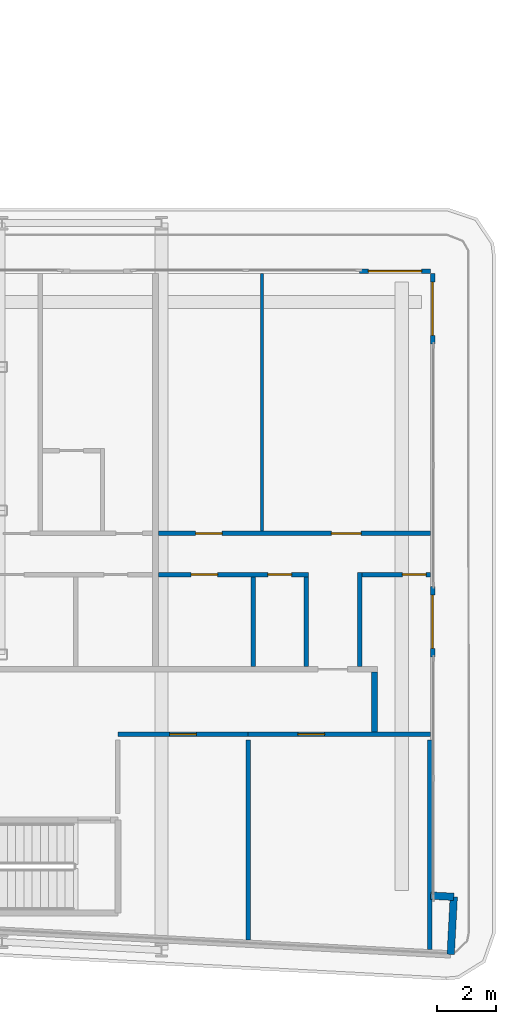
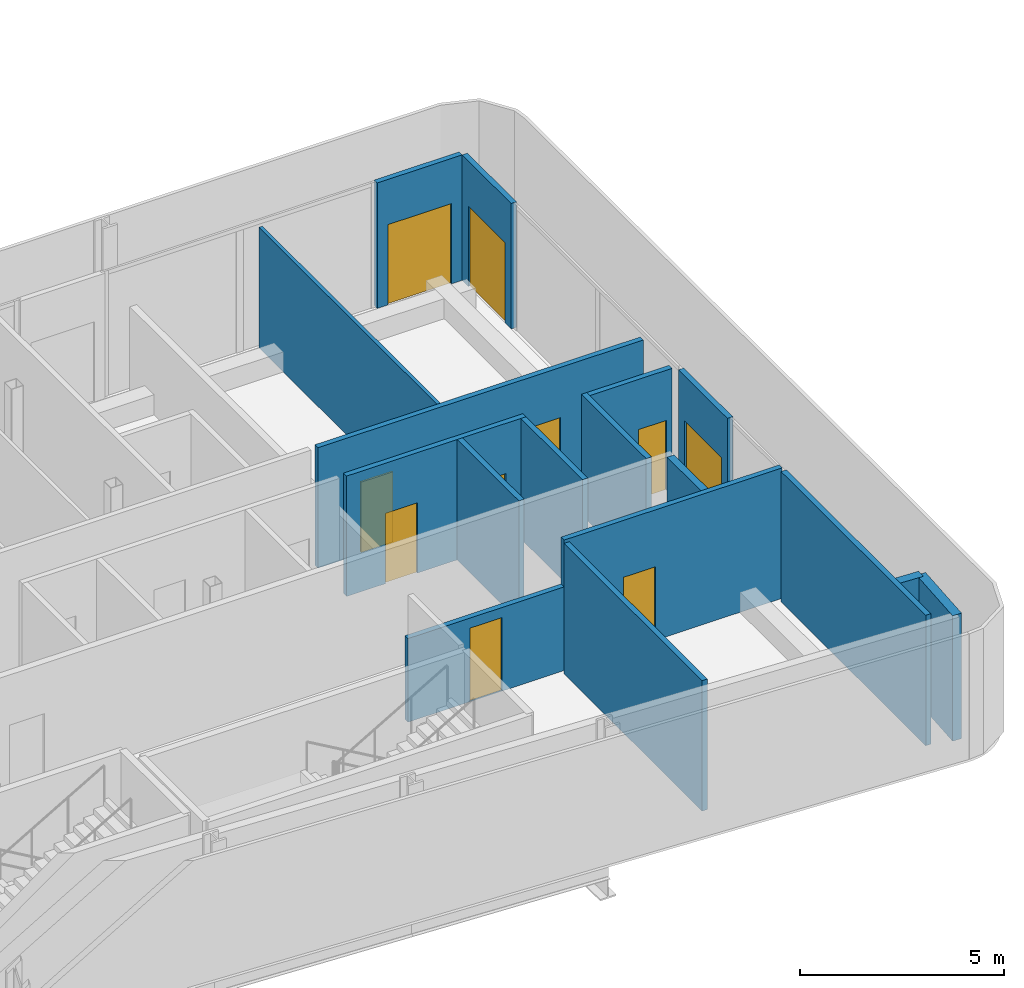
# One storey, part 17 of 25: 17 walls, 10 doors, 10 openings.
"""IFC4 building model written with IfcOpenShell, lengths in metres."""

from ifc_helpers import new_model, si_unit, direction, frame, frame_2d, origin, place, context, subcontext, project, spatial, rectangle, extrude, source, transform, mapped, material, layer, layer_set, type_object, element, fill, save


model = new_model("IFC4")

# Units and contexts
model_context = context("Model", 3, precision=1e-05, world=origin(), true_north=direction((0.0, 1.0)))
body_context = subcontext(model_context, "Body", "Model", "MODEL_VIEW")
ifc_project = project(units=[si_unit("LENGTHUNIT", "METRE"), si_unit("AREAUNIT", "SQUARE_METRE"), si_unit("VOLUMEUNIT", "CUBIC_METRE"), si_unit("PLANEANGLEUNIT", "RADIAN"), si_unit("MASSUNIT", "GRAM", prefix="KILO")], contexts=[model_context])

# Site, building, storey
site_placement = place(None, origin())
site = spatial("IfcSite", under=ifc_project, at=site_placement, CompositionType="ELEMENT")
building_placement = place(site_placement, origin())
building = spatial("IfcBuilding", under=site, at=building_placement, Name="Kheshtan School and Residences Tower", CompositionType="ELEMENT")
storey_placement = place(building_placement, frame((0.0, 0.0, 109.699951171875)))
storey = spatial("IfcBuildingStorey", under=building, at=storey_placement, Name="L25", CompositionType="ELEMENT", Elevation=109.699951171875)

# Walls
ifc_material_1 = material(Name="Gypsum board on steel studs with fire boards", Category="steel")
ifc_layer_1 = layer(ifc_material_1, 0.199951171875)
ifc_layer_set_1 = layer_set([ifc_layer_1], Name="Corridor wall 200")
wall_type_1 = type_object("IfcWallType", Name="Corridor wall 200", PredefinedType="PARTITIONING", material=ifc_layer_set_1)
wall_1_placement = place(storey_placement, frame((98.0, 28.3740234375, 0.0), z_axis=(0.0, 0.0, 1.0), x_axis=(0.0, 1.0, 0.0)))
element("IfcWall", 1, at=wall_1_placement, inside=storey, type_object=wall_type_1, Name="Partition L25-073", PredefinedType="PARTITIONING", context=body_context, shape_type="SweptSolid", body=[
    extrude(rectangle(XDim=2.02587890625, YDim=0.199951171875, at=frame_2d((1.012939453125, 0.0))), origin(), (0.0, 0.0, 1.0), 3.60009765625),
])
ifc_material_2 = material(Name="Concrete C40/50 with ceramic cladding and mineral wool insulation", Category="concrete")
ifc_layer_2 = layer(ifc_material_2, 0.25)
ifc_layer_set_2 = layer_set([ifc_layer_2], Name="External wall 250 ceramic clad")
wall_type_2 = type_object("IfcWallType", Name="External wall 250 ceramic clad", PredefinedType="SOLIDWALL", material=ifc_layer_set_2)
wall_2_placement = place(storey_placement, frame((99.906982421875, 22.839111328125, 0.0), z_axis=(0.0, 0.0, 1.0), x_axis=(0.998561284263, -0.053622398031, 0.0)))
element("IfcWall", 2, at=wall_2_placement, inside=storey, type_object=wall_type_2, Name="External wall L25 10", PredefinedType="SOLIDWALL", context=body_context, shape_type="SweptSolid", body=[
    extrude(rectangle(XDim=0.783203125, YDim=0.25, at=frame_2d((0.3916015625, 0.0))), origin(), (0.0, 0.0, 1.0), 3.75),
])
wall_3_placement = place(storey_placement, frame((100.68896484375, 22.797119140625, 0.0), z_axis=(0.0, 0.0, 1.0), x_axis=(-0.052841433274, -0.998602915542, 0.0)))
element("IfcWall", 3, at=wall_3_placement, inside=storey, type_object=wall_type_2, Name="External wall L25 11", PredefinedType="SOLIDWALL", context=body_context, shape_type="SweptSolid", body=[
    extrude(rectangle(XDim=1.94970703125, YDim=0.25, at=frame_2d((0.974853515625, 0.0))), origin(), (0.0, 0.0, 1.0), 3.75),
])

# Wall, opening, door
ifc_material_3 = material(Name="Aluminium frame wall with insulated infill", Category="aluminium")
ifc_layer_3 = layer(ifc_material_3, 0.14990234375)
ifc_layer_set_3 = layer_set([ifc_layer_3], Name="Glazing frame wall 150")
wall_type_3 = type_object("IfcWallType", Name="Glazing frame wall 150", PredefinedType="SOLIDWALL", material=ifc_layer_set_3)
wall_4_placement = place(storey_placement, frame((97.5, 43.97509765625, 0.0), z_axis=(0.0, 0.0, 1.0), x_axis=(1.0, 0.0, 0.0)))
wall_4 = element("IfcWall", 4, at=wall_4_placement, inside=storey, type_object=wall_type_3, Name="Balcony door wall L25 8.5", PredefinedType="SOLIDWALL", context=body_context, shape_type="SweptSolid", body=[
    extrude(rectangle(XDim=2.39990234375, YDim=0.14990234375, at=frame_2d((1.199951171875, 0.0))), origin(), (0.0, 0.0, 1.0), 3.75),
])
opening_1_placement = place(wall_4_placement, frame((0.300048828125, 0.0, 0.0)))
opening_1 = element("IfcOpeningElement", 5, at=opening_1_placement, cuts=wall_4, Name="Opening BD", PredefinedType="OPENING", context=body_context, shape_type="SweptSolid", body=[
    extrude(rectangle(XDim=1.800048828125, YDim=2.39990234375, at=frame_2d((0.89990234375, 1.199951171875))), frame((0.0, 0.0849609375, 0.0), z_axis=(0.0, -1.0, 0.0), x_axis=(1.0, 0.0, 0.0)), (0.0, 0.0, 1.0), 0.169921875),
])
ifc_material_4 = material(Name="Clear low-e glass in thermally broken aluminium frame", Category="aluminium")
door_type_1 = type_object("IfcDoorType", Name="Balcony sliding door", OperationType="SLIDING_TO_LEFT", PredefinedType="DOOR", material=ifc_material_4)
shared_shape_1 = source(origin(), body_context, "Body", "SweptSolid", [
    extrude(rectangle(XDim=1.800048828125, YDim=2.39990234375, at=frame_2d((0.89990234375, 1.199951171875))), frame((0.0, 0.02490234375, 0.0), z_axis=(0.0, -1.0, 0.0), x_axis=(1.0, 0.0, 0.0)), (0.0, 0.0, 1.0), 0.050048828125),
])
door_1_placement = place(opening_1_placement, origin())
door_1 = element("IfcDoor", 6, at=door_1_placement, inside=storey, type_object=door_type_1, Name="Balcony door L25 8.5", OperationType="SLIDING_TO_LEFT", OverallHeight=2.39990234375, OverallWidth=1.800048828125, PredefinedType="DOOR", context=body_context, shape_type="MappedRepresentation", body=[
    mapped(shared_shape_1, transform((0.0, 0.0, 0.0), x_axis=(1.0, 0.0, 0.0), y_axis=(0.0, 1.0, 0.0), z_axis=(0.0, 0.0, 1.0), scale=1.0)),
])
fill(opening_1, door_1)

wall_5_placement = place(storey_placement, frame((99.97509765625, 43.89990234375, 0.0), z_axis=(0.0, 0.0, 1.0), x_axis=(0.0, -1.0, 0.0)))
wall_5 = element("IfcWall", 7, at=wall_5_placement, inside=storey, type_object=wall_type_3, Name="Balcony door wall L25 9.1", PredefinedType="SOLIDWALL", context=body_context, shape_type="SweptSolid", body=[
    extrude(rectangle(XDim=2.39990234375, YDim=0.14990234375, at=frame_2d((1.199951171875, 0.0))), origin(), (0.0, 0.0, 1.0), 3.75),
])
opening_2_placement = place(wall_5_placement, frame((0.300048828125, 0.0, 0.0)))
opening_2 = element("IfcOpeningElement", 8, at=opening_2_placement, cuts=wall_5, Name="Opening BD", PredefinedType="OPENING", context=body_context, shape_type="SweptSolid", body=[
    extrude(rectangle(XDim=1.800048828125, YDim=2.39990234375, at=frame_2d((0.89990234375, 1.199951171875))), frame((0.0, 0.0849609375, 0.0), z_axis=(0.0, -1.0, 0.0), x_axis=(1.0, 0.0, 0.0)), (0.0, 0.0, 1.0), 0.169921875),
])
door_2_placement = place(opening_2_placement, origin())
door_2 = element("IfcDoor", 9, at=door_2_placement, inside=storey, type_object=door_type_1, Name="Balcony door L25 9.1", OperationType="SLIDING_TO_LEFT", OverallHeight=2.39990234375, OverallWidth=1.800048828125, PredefinedType="DOOR", context=body_context, shape_type="MappedRepresentation", body=[
    mapped(shared_shape_1, transform((0.0, 0.0, 0.0), x_axis=(1.0, 0.0, 0.0), y_axis=(0.0, 1.0, 0.0), z_axis=(0.0, 0.0, 1.0), scale=1.0)),
])
fill(opening_2, door_2)

wall_6_placement = place(storey_placement, frame((99.97509765625, 33.306884765625, 0.0), z_axis=(0.0, 0.0, 1.0), x_axis=(0.0, -1.0, 0.0)))
wall_6 = element("IfcWall", 10, at=wall_6_placement, inside=storey, type_object=wall_type_3, Name="Balcony door wall L25 9.2", PredefinedType="SOLIDWALL", context=body_context, shape_type="SweptSolid", body=[
    extrude(rectangle(XDim=2.39990234375, YDim=0.14990234375, at=frame_2d((1.199951171875, 0.0))), origin(), (0.0, 0.0, 1.0), 3.75),
])
opening_3_placement = place(wall_6_placement, frame((0.300048828125, 0.0, 0.0)))
opening_3 = element("IfcOpeningElement", 11, at=opening_3_placement, cuts=wall_6, Name="Opening BD", PredefinedType="OPENING", context=body_context, shape_type="SweptSolid", body=[
    extrude(rectangle(XDim=1.800048828125, YDim=2.39990234375, at=frame_2d((0.89990234375, 1.199951171875))), frame((0.0, 0.0849609375, 0.0), z_axis=(0.0, -1.0, 0.0), x_axis=(1.0, 0.0, 0.0)), (0.0, 0.0, 1.0), 0.169921875),
])
door_3_placement = place(opening_3_placement, origin())
door_3 = element("IfcDoor", 12, at=door_3_placement, inside=storey, type_object=door_type_1, Name="Balcony door L25 9.2", OperationType="SLIDING_TO_LEFT", OverallHeight=2.39990234375, OverallWidth=1.800048828125, PredefinedType="DOOR", context=body_context, shape_type="MappedRepresentation", body=[
    mapped(shared_shape_1, transform((0.0, 0.0, 0.0), x_axis=(1.0, 0.0, 0.0), y_axis=(0.0, 1.0, 0.0), z_axis=(0.0, 0.0, 1.0), scale=1.0)),
])
fill(opening_3, door_3)

# Wall
ifc_material_5 = material(Name="Gypsum board on steel studs", Category="steel")
ifc_layer_4 = layer(ifc_material_5, 0.10009765625)
ifc_layer_set_4 = layer_set([ifc_layer_4], Name="Gypsum partition 100")
wall_type_4 = type_object("IfcWallType", Name="Gypsum partition 100", PredefinedType="PARTITIONING", material=ifc_layer_set_4)
wall_7_placement = place(storey_placement, frame((94.199951171875, 35.175048828125, 0.0), z_axis=(0.0, 0.0, 1.0), x_axis=(0.0, 1.0, 0.0)))
element("IfcWall", 13, at=wall_7_placement, inside=storey, type_object=wall_type_4, Name="Partition L25-069", PredefinedType="PARTITIONING", context=body_context, shape_type="SweptSolid", body=[
    extrude(rectangle(XDim=8.724853515625, YDim=0.10009765625, at=frame_2d((4.3623046875, 0.0))), origin(), (0.0, 0.0, 1.0), 3.60009765625),
])

# Wall, opening, door
ifc_material_6 = material(Name="Fire-board shaft wall system")
ifc_layer_5 = layer(ifc_material_6, 0.14990234375)
ifc_layer_set_5 = layer_set([ifc_layer_5], Name="Service room wall 150")
wall_type_5 = type_object("IfcWallType", Name="Service room wall 150", PredefinedType="PARTITIONING", material=ifc_layer_set_5)
wall_8_placement = place(storey_placement, frame((89.320068359375, 28.300048828125, 0.0), z_axis=(0.0, 0.0, 1.0), x_axis=(1.0, 0.0, 0.0)))
wall_8 = element("IfcWall", 14, at=wall_8_placement, inside=storey, type_object=wall_type_5, Name="Service room wall", PredefinedType="PARTITIONING", context=body_context, shape_type="SweptSolid", body=[
    extrude(rectangle(XDim=4.412841796875, YDim=0.14990234375, at=frame_2d((2.20654296875, 0.0))), origin(), (0.0, 0.0, 1.0), 2.5),
])
opening_4_placement = place(wall_8_placement, frame((1.756103515625, 0.0, 0.0)))
opening_4 = element("IfcOpeningElement", 15, at=opening_4_placement, cuts=wall_8, Name="Opening SR90", PredefinedType="OPENING", context=body_context, shape_type="SweptSolid", body=[
    extrude(rectangle(XDim=0.89990234375, YDim=2.199951171875, at=frame_2d((0.449951171875, 1.10009765625))), frame((0.0, 0.0849609375, 0.0), z_axis=(0.0, -1.0, 0.0), x_axis=(1.0, 0.0, 0.0)), (0.0, 0.0, 1.0), 0.169921875),
])
ifc_material_7 = material(Name="Steel door leaf, galvanised", Category="steel")
door_type_2 = type_object("IfcDoorType", Name="Service room door 900 steel 90 min", OperationType="SINGLE_SWING_LEFT", PredefinedType="DOOR", material=ifc_material_7)
shared_shape_2 = source(origin(), body_context, "Body", "SweptSolid", [
    extrude(rectangle(XDim=0.89990234375, YDim=2.199951171875, at=frame_2d((0.449951171875, 1.10009765625))), frame((0.0, 0.02490234375, 0.0), z_axis=(0.0, -1.0, 0.0), x_axis=(1.0, 0.0, 0.0)), (0.0, 0.0, 1.0), 0.050048828125),
])
door_4_placement = place(opening_4_placement, origin())
door_4 = element("IfcDoor", 16, at=door_4_placement, inside=storey, type_object=door_type_2, Name="Service room door", OperationType="SINGLE_SWING_LEFT", OverallHeight=2.199951171875, OverallWidth=0.89990234375, PredefinedType="DOOR", context=body_context, shape_type="MappedRepresentation", body=[
    mapped(shared_shape_2, transform((0.0, 0.0, 0.0), x_axis=(1.0, 0.0, 0.0), y_axis=(0.0, 1.0, 0.0), z_axis=(0.0, 0.0, 1.0), scale=1.0)),
])
fill(opening_4, door_4)

# Wall
wall_9_placement = place(storey_placement, frame((93.73291015625, 21.337890625, 0.0), z_axis=(0.0, 0.0, 1.0), x_axis=(0.0, 1.0, 0.0)))
element("IfcWall", 17, at=wall_9_placement, inside=storey, type_object=wall_type_5, Name="Service room wall", PredefinedType="PARTITIONING", context=body_context, shape_type="SweptSolid", body=[
    extrude(rectangle(XDim=6.76708984375, YDim=0.14990234375, at=frame_2d((3.383544921875, 0.0))), origin(), (0.0, 0.0, 1.0), 3.900146484375),
])

# Wall, opening, door
wall_10_placement = place(storey_placement, frame((93.73291015625, 28.300048828125, 0.0), z_axis=(0.0, 0.0, 1.0), x_axis=(1.0, 0.0, 0.0)))
wall_10 = element("IfcWall", 18, at=wall_10_placement, inside=storey, type_object=wall_type_5, Name="Service room wall", PredefinedType="PARTITIONING", context=body_context, shape_type="SweptSolid", body=[
    extrude(rectangle(XDim=6.1650390625, YDim=0.14990234375, at=frame_2d((3.08251953125, 0.0))), origin(), (0.0, 0.0, 1.0), 3.900146484375),
])
opening_5_placement = place(wall_10_placement, frame((1.68310546875, 0.0, 0.0)))
opening_5 = element("IfcOpeningElement", 19, at=opening_5_placement, cuts=wall_10, Name="Opening SR90", PredefinedType="OPENING", context=body_context, shape_type="SweptSolid", body=[
    extrude(rectangle(XDim=0.89990234375, YDim=2.199951171875, at=frame_2d((0.449951171875, 1.10009765625))), frame((0.0, 0.0849609375, 0.0), z_axis=(0.0, -1.0, 0.0), x_axis=(1.0, 0.0, 0.0)), (0.0, 0.0, 1.0), 0.169921875),
])
door_5_placement = place(opening_5_placement, origin())
door_5 = element("IfcDoor", 20, at=door_5_placement, inside=storey, type_object=door_type_2, Name="Service room door", OperationType="SINGLE_SWING_RIGHT", OverallHeight=2.199951171875, OverallWidth=0.89990234375, PredefinedType="DOOR", context=body_context, shape_type="MappedRepresentation", body=[
    mapped(shared_shape_2, transform((0.0, 0.0, 0.0), x_axis=(1.0, 0.0, 0.0), y_axis=(0.0, 1.0, 0.0), z_axis=(0.0, 0.0, 1.0), scale=1.0)),
])
fill(opening_5, door_5)

# Wall
wall_11_placement = place(storey_placement, frame((99.8701171875, 21.014892578125, 0.0), z_axis=(0.0, 0.0, 1.0), x_axis=(0.0, 1.0, 0.0)))
element("IfcWall", 21, at=wall_11_placement, inside=storey, type_object=wall_type_5, Name="Service room wall", PredefinedType="PARTITIONING", context=body_context, shape_type="SweptSolid", body=[
    extrude(rectangle(XDim=7.090087890625, YDim=0.14990234375, at=frame_2d((3.544921875, 0.0))), origin(), (0.0, 0.0, 1.0), 3.900146484375),
])

# Wall, openings, doors
ifc_material_8 = material(Name="Moisture-resistant gypsum board on steel studs", Category="steel")
ifc_layer_6 = layer(ifc_material_8, 0.14990234375)
ifc_layer_set_6 = layer_set([ifc_layer_6], Name="Wet-room partition 150")
wall_type_6 = type_object("IfcWallType", Name="Wet-room partition 150", PredefinedType="PARTITIONING", material=ifc_layer_set_6)
wall_12_placement = place(storey_placement, frame((90.699951171875, 33.699951171875, 0.0), z_axis=(0.0, 0.0, 1.0), x_axis=(1.0, 0.0, 0.0)))
wall_12 = element("IfcWall", 22, at=wall_12_placement, inside=storey, type_object=wall_type_6, Name="Partition L25-066", PredefinedType="PARTITIONING", context=body_context, shape_type="SweptSolid", body=[
    extrude(rectangle(XDim=5.074951171875, YDim=0.14990234375, at=frame_2d((2.53759765625, 0.0))), origin(), (0.0, 0.0, 1.0), 3.60009765625),
])
opening_6_placement = place(wall_12_placement, frame((1.10009765625, 0.0, 0.0)))
opening_6 = element("IfcOpeningElement", 23, at=opening_6_placement, cuts=wall_12, Name="Opening D25-030", PredefinedType="OPENING", context=body_context, shape_type="SweptSolid", body=[
    extrude(rectangle(XDim=0.89990234375, YDim=2.10009765625, at=frame_2d((0.449951171875, 1.050048828125))), frame((0.0, 0.0849609375, 0.0), z_axis=(0.0, -1.0, 0.0), x_axis=(1.0, 0.0, 0.0)), (0.0, 0.0, 1.0), 0.169921875),
])
opening_7_placement = place(wall_12_placement, frame((3.699951171875, 0.0, 0.0)))
opening_7 = element("IfcOpeningElement", 24, at=opening_7_placement, cuts=wall_12, Name="Opening D25-032", PredefinedType="OPENING", context=body_context, shape_type="SweptSolid", body=[
    extrude(rectangle(XDim=0.800048828125, YDim=2.10009765625, at=frame_2d((0.39990234375, 1.050048828125))), frame((0.0, 0.0849609375, 0.0), z_axis=(0.0, -1.0, 0.0), x_axis=(1.0, 0.0, 0.0)), (0.0, 0.0, 1.0), 0.169921875),
])
ifc_material_9 = material(Name="Veneered timber door leaf", Category="wood")
door_type_3 = type_object("IfcDoorType", Name="Door 800 x 2100", OperationType="SINGLE_SWING_LEFT", PredefinedType="DOOR", material=ifc_material_9)
shared_shape_3 = source(origin(), body_context, "Body", "SweptSolid", [
    extrude(rectangle(XDim=0.800048828125, YDim=2.10009765625, at=frame_2d((0.39990234375, 1.050048828125))), frame((0.0, 0.02490234375, 0.0), z_axis=(0.0, -1.0, 0.0), x_axis=(1.0, 0.0, 0.0)), (0.0, 0.0, 1.0), 0.050048828125),
])
door_6_placement = place(opening_7_placement, origin())
door_6 = element("IfcDoor", 25, at=door_6_placement, inside=storey, type_object=door_type_3, Name="Door D25-032", OperationType="SINGLE_SWING_RIGHT", OverallHeight=2.10009765625, OverallWidth=0.800048828125, PredefinedType="DOOR", context=body_context, shape_type="MappedRepresentation", body=[
    mapped(shared_shape_3, transform((0.0, 0.0, 0.0), x_axis=(1.0, 0.0, 0.0), y_axis=(0.0, 1.0, 0.0), z_axis=(0.0, 0.0, 1.0), scale=1.0)),
])
fill(opening_7, door_6)
door_type_4 = type_object("IfcDoorType", Name="Door 900 x 2100", OperationType="SINGLE_SWING_LEFT", PredefinedType="DOOR", material=ifc_material_9)
shared_shape_4 = source(origin(), body_context, "Body", "SweptSolid", [
    extrude(rectangle(XDim=0.89990234375, YDim=2.10009765625, at=frame_2d((0.449951171875, 1.050048828125))), frame((0.0, 0.02490234375, 0.0), z_axis=(0.0, -1.0, 0.0), x_axis=(1.0, 0.0, 0.0)), (0.0, 0.0, 1.0), 0.050048828125),
])
door_7_placement = place(opening_6_placement, origin())
door_7 = element("IfcDoor", 26, at=door_7_placement, inside=storey, type_object=door_type_4, Name="Door D25-030", OperationType="SINGLE_SWING_RIGHT", OverallHeight=2.10009765625, OverallWidth=0.89990234375, PredefinedType="DOOR", context=body_context, shape_type="MappedRepresentation", body=[
    mapped(shared_shape_4, transform((0.0, 0.0, 0.0), x_axis=(1.0, 0.0, 0.0), y_axis=(0.0, 1.0, 0.0), z_axis=(0.0, 0.0, 1.0), scale=1.0)),
])
fill(opening_6, door_7)

wall_13_placement = place(storey_placement, frame((90.699951171875, 35.10009765625, 0.0), z_axis=(0.0, 0.0, 1.0), x_axis=(1.0, 0.0, 0.0)))
wall_13 = element("IfcWall", 27, at=wall_13_placement, inside=storey, type_object=wall_type_6, Name="Partition L25-067", PredefinedType="PARTITIONING", context=body_context, shape_type="SweptSolid", body=[
    extrude(rectangle(XDim=9.199951171875, YDim=0.14990234375, at=frame_2d((4.60009765625, 0.0))), origin(), (0.0, 0.0, 1.0), 3.60009765625),
])
opening_8_placement = place(wall_13_placement, frame((1.25, 0.0, 0.0)))
opening_8 = element("IfcOpeningElement", 28, at=opening_8_placement, cuts=wall_13, Name="Opening D25-028", PredefinedType="OPENING", context=body_context, shape_type="SweptSolid", body=[
    extrude(rectangle(XDim=0.89990234375, YDim=2.10009765625, at=frame_2d((0.449951171875, 1.050048828125))), frame((0.0, 0.0849609375, 0.0), z_axis=(0.0, -1.0, 0.0), x_axis=(1.0, 0.0, 0.0)), (0.0, 0.0, 1.0), 0.169921875),
])
opening_9_placement = place(wall_13_placement, frame((5.85009765625, 0.0, 0.0)))
opening_9 = element("IfcOpeningElement", 29, at=opening_9_placement, cuts=wall_13, Name="Opening D25-031", PredefinedType="OPENING", context=body_context, shape_type="SweptSolid", body=[
    extrude(rectangle(XDim=1.0, YDim=2.10009765625, at=frame_2d((0.5, 1.050048828125))), frame((0.0, 0.0849609375, 0.0), z_axis=(0.0, -1.0, 0.0), x_axis=(1.0, 0.0, 0.0)), (0.0, 0.0, 1.0), 0.169921875),
])
door_type_5 = type_object("IfcDoorType", Name="Door 1000 x 2100", OperationType="SINGLE_SWING_LEFT", PredefinedType="DOOR", material=ifc_material_9)
shared_shape_5 = source(origin(), body_context, "Body", "SweptSolid", [
    extrude(rectangle(XDim=1.0, YDim=2.10009765625, at=frame_2d((0.5, 1.050048828125))), frame((0.0, 0.02490234375, 0.0), z_axis=(0.0, -1.0, 0.0), x_axis=(1.0, 0.0, 0.0)), (0.0, 0.0, 1.0), 0.050048828125),
])
door_8_placement = place(opening_9_placement, origin())
door_8 = element("IfcDoor", 30, at=door_8_placement, inside=storey, type_object=door_type_5, Name="Door D25-031", OperationType="SINGLE_SWING_LEFT", OverallHeight=2.10009765625, OverallWidth=1.0, PredefinedType="DOOR", context=body_context, shape_type="MappedRepresentation", body=[
    mapped(shared_shape_5, transform((0.0, 0.0, 0.0), x_axis=(1.0, 0.0, 0.0), y_axis=(0.0, 1.0, 0.0), z_axis=(0.0, 0.0, 1.0), scale=1.0)),
])
fill(opening_9, door_8)
door_9_placement = place(opening_8_placement, origin())
door_9 = element("IfcDoor", 31, at=door_9_placement, inside=storey, type_object=door_type_4, Name="Door D25-028", OperationType="SINGLE_SWING_RIGHT", OverallHeight=2.10009765625, OverallWidth=0.89990234375, PredefinedType="DOOR", context=body_context, shape_type="MappedRepresentation", body=[
    mapped(shared_shape_4, transform((0.0, 0.0, 0.0), x_axis=(1.0, 0.0, 0.0), y_axis=(0.0, 1.0, 0.0), z_axis=(0.0, 0.0, 1.0), scale=1.0)),
])
fill(opening_8, door_9)

# Walls
for number, where, z_axis, x_axis, name in (
    (32, (93.89990234375, 30.60009765625, 0.0), (0.0, 0.0, 1.0), (0.0, 1.0, 0.0), "Partition L25-068"),
    (33, (95.699951171875, 30.60009765625, 0.0), (0.0, 0.0, 1.0), (0.0, 1.0, 0.0), "Partition L25-070"),
):
    element("IfcWall", number, at=place(storey_placement, frame(where, z_axis=z_axis, x_axis=x_axis)), inside=storey, type_object=wall_type_6, Name=name, PredefinedType="PARTITIONING", context=body_context, shape_type="SweptSolid", body=[
        extrude(rectangle(XDim=3.02490234375, YDim=0.14990234375, at=frame_2d((1.512451171875, 0.0))), origin(), (0.0, 0.0, 1.0), 3.60009765625),
    ])
wall_14_placement = place(storey_placement, frame((97.5, 30.60009765625, 0.0), z_axis=(0.0, 0.0, 1.0), x_axis=(0.0, 1.0, 0.0)))
element("IfcWall", 34, at=wall_14_placement, inside=storey, type_object=wall_type_6, Name="Partition L25-071", PredefinedType="PARTITIONING", context=body_context, shape_type="SweptSolid", body=[
    extrude(rectangle(XDim=3.1748046875, YDim=0.14990234375, at=frame_2d((1.58740234375, 0.0))), origin(), (0.0, 0.0, 1.0), 3.60009765625),
])

# Wall, opening, door
wall_15_placement = place(storey_placement, frame((97.574951171875, 33.699951171875, 0.0), z_axis=(0.0, 0.0, 1.0), x_axis=(1.0, 0.0, 0.0)))
wall_15 = element("IfcWall", 35, at=wall_15_placement, inside=storey, type_object=wall_type_6, Name="Partition L25-072", PredefinedType="PARTITIONING", context=body_context, shape_type="SweptSolid", body=[
    extrude(rectangle(XDim=2.324951171875, YDim=0.14990234375, at=frame_2d((1.16259765625, 0.0))), origin(), (0.0, 0.0, 1.0), 3.60009765625),
])
opening_10_placement = place(wall_15_placement, frame((1.375, 0.0, 0.0)))
opening_10 = element("IfcOpeningElement", 36, at=opening_10_placement, cuts=wall_15, Name="Opening D25-027", PredefinedType="OPENING", context=body_context, shape_type="SweptSolid", body=[
    extrude(rectangle(XDim=0.800048828125, YDim=2.10009765625, at=frame_2d((0.39990234375, 1.050048828125))), frame((0.0, 0.0849609375, 0.0), z_axis=(0.0, -1.0, 0.0), x_axis=(1.0, 0.0, 0.0)), (0.0, 0.0, 1.0), 0.169921875),
])
door_10_placement = place(opening_10_placement, origin())
door_10 = element("IfcDoor", 37, at=door_10_placement, inside=storey, type_object=door_type_3, Name="Door D25-027", OperationType="SINGLE_SWING_RIGHT", OverallHeight=2.10009765625, OverallWidth=0.800048828125, PredefinedType="DOOR", context=body_context, shape_type="MappedRepresentation", body=[
    mapped(shared_shape_3, transform((0.0, 0.0, 0.0), x_axis=(1.0, 0.0, 0.0), y_axis=(0.0, 1.0, 0.0), z_axis=(0.0, 0.0, 1.0), scale=1.0)),
])
fill(opening_10, door_10)

save(model, "model.ifc")
